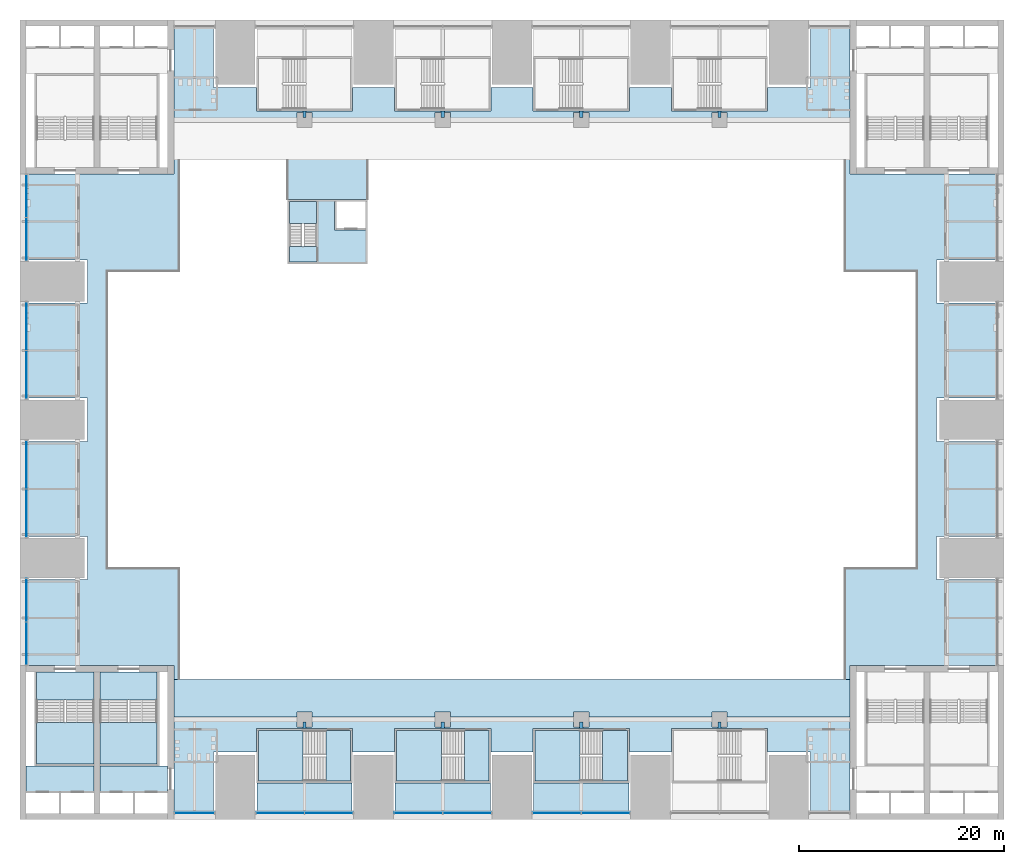
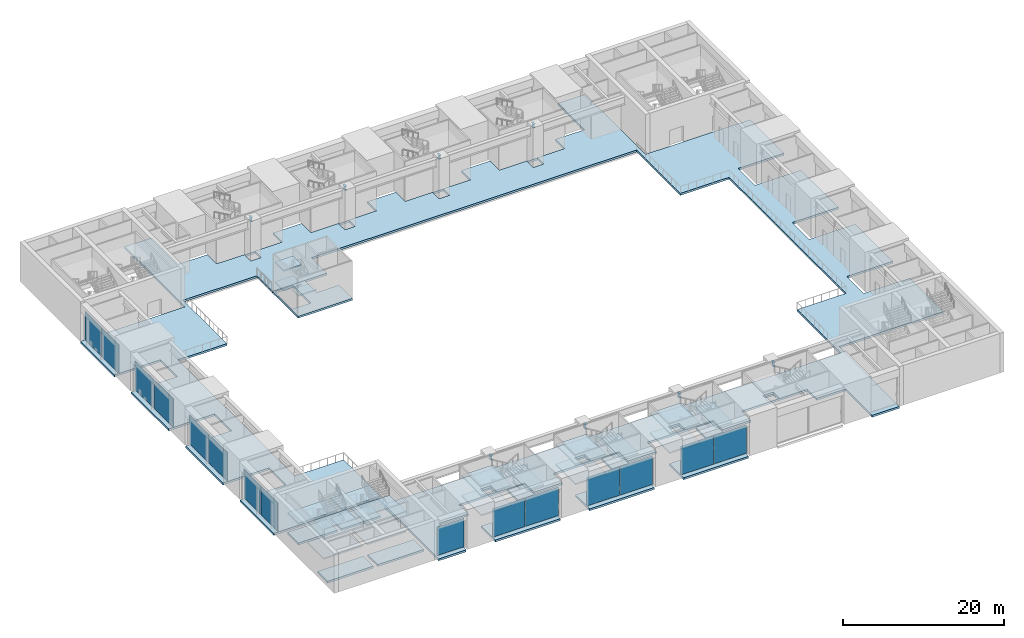
# One storey, part 10 of 41: 31 slabs, 15 plates, 8 beams, 14 elements without a shape of their own.
"""IFC4 building model written with IfcOpenShell, lengths in metres."""

from ifc_helpers import new_model, si_unit, direction, frame, origin, origin_2d, place, context, subcontext, project, spatial, polyline, rectangle, i_section, outline, extrude, material, layer, layer_set, material_profile, profile_set, type_object, element, aggregate, save


model = new_model("IFC4")

# Units and contexts
model_context = context("Model", 3, precision=1e-05, world=origin(), true_north=direction((0.0, 1.0)))
body_context = subcontext(model_context, "Body", "Model", "MODEL_VIEW")
ifc_project = project(units=[si_unit("LENGTHUNIT", "METRE"), si_unit("AREAUNIT", "SQUARE_METRE"), si_unit("VOLUMEUNIT", "CUBIC_METRE"), si_unit("PLANEANGLEUNIT", "RADIAN"), si_unit("MASSUNIT", "GRAM", prefix="KILO")], contexts=[model_context])

# Site, building, storey
site_placement = place(None, origin())
site = spatial("IfcSite", under=ifc_project, at=site_placement, CompositionType="ELEMENT")
building_placement = place(site_placement, origin())
building = spatial("IfcBuilding", under=site, at=building_placement, Name="Corbelhall Arena Tower", CompositionType="ELEMENT")
storey_placement = place(building_placement, frame((0.0, 0.0, 19.0)))
storey = spatial("IfcBuildingStorey", under=building, at=storey_placement, Name="L02", CompositionType="ELEMENT", Elevation=19.0)

# Beams
ifc_material_1 = material(Name="Steel ASTM A992 Gr50", Category="steel")
ifc_material_profile = material_profile(ifc_material_1, i_section(OverallWidth=0.323974609375, OverallDepth=0.611083984375, WebThickness=0.0126953125, FlangeThickness=0.01904296875, at=origin_2d()))
ifc_profile_set = profile_set([ifc_material_profile], Name="Steel ASTM A992 Gr50")
beam_type = type_object("IfcBeamType", Name="PO-BEAM-W24X104", PredefinedType="BEAM", material=ifc_profile_set)
for number, where, z_axis, x_axis, name in (
    (1, (-20.25, 29.5, 5.39453125), (0.0, 1.0, 0.0), (-1.0, 0.0, 0.0), "CONCOURSE BEAM"),
    (2, (-6.75, 29.5, 5.39453125), (0.0, 1.0, 0.0), (-1.0, 0.0, 0.0), "CONCOURSE BEAM"),
    (3, (6.75, 29.5, 5.39453125), (0.0, 1.0, 0.0), (-1.0, 0.0, 0.0), "CONCOURSE BEAM"),
    (4, (20.25, 29.5, 5.39453125), (0.0, 1.0, 0.0), (-1.0, 0.0, 0.0), "CONCOURSE BEAM"),
    (5, (-20.25, -29.5, 5.39453125), (0.0, -1.0, 0.0), (1.0, 0.0, 0.0), "CONCOURSE BEAM"),
    (6, (-6.75, -29.5, 5.39453125), (0.0, -1.0, 0.0), (1.0, 0.0, 0.0), "CONCOURSE BEAM"),
    (7, (6.75, -29.5, 5.39453125), (0.0, -1.0, 0.0), (1.0, 0.0, 0.0), "CONCOURSE BEAM"),
    (8, (20.25, -29.5, 5.39453125), (0.0, -1.0, 0.0), (1.0, 0.0, 0.0), "CONCOURSE BEAM"),
):
    element("IfcBeam", number, at=place(storey_placement, frame(where, z_axis=z_axis, x_axis=x_axis)), inside=storey, type_object=beam_type, Name=name, PredefinedType="BEAM", context=body_context, shape_type="SweptSolid", body=[
        extrude(i_section(OverallWidth=0.323974609375, OverallDepth=0.611083984375, WebThickness=0.0126953125, FlangeThickness=0.01904296875, at=origin_2d()), origin(), (0.0, 0.0, 1.0), 0.60009765625),
    ])

# Stair, slabs
ifc_material_2 = material(Name="Reinforced concrete C40/50", Category="concrete")
stair_type_1 = type_object("IfcStairType", Name="AR-EXIT-STAIR", PredefinedType="HALF_TURN_STAIR", material=ifc_material_2)
stair_1_placement = place(storey_placement, origin())
stair_1 = element("IfcStair", 9, at=stair_1_placement, inside=storey, type_object=stair_type_1, Name="L02 exit stair AS13", PredefinedType="HALF_TURN_STAIR")
ifc_layer_1 = layer(ifc_material_2, 0.199951171875)
ifc_layer_set_1 = layer_set([ifc_layer_1], Name="AR-EXIT-LANDING")
slab_type_1 = type_object("IfcSlabType", Name="AR-EXIT-LANDING", PredefinedType="LANDING", material=ifc_layer_set_1)
slab_1_placement = place(storey_placement, frame((0.0, 0.0, 1.300048828125)))
slab_1 = element("IfcSlab", 10, at=slab_1_placement, type_object=slab_type_1, Name="AS13 landing 1", PredefinedType="LANDING", context=body_context, shape_type="SweptSolid", body=[
    extrude(outline(polyline([(-20.389892578125, -30.300048828125), (-24.75, -30.300048828125), (-24.75, -35.25), (-20.389892578125, -35.25), (-20.389892578125, -30.300048828125)])), origin(), (0.0, 0.0, 1.0), 0.199951171875),
])
slab_2_placement = place(storey_placement, frame((0.0, 0.0, 2.800048828125)))
slab_2 = element("IfcSlab", 11, at=slab_2_placement, type_object=slab_type_1, Name="AS13 landing 2", PredefinedType="LANDING", context=body_context, shape_type="SweptSolid", body=[
    extrude(outline(polyline([(-15.75, -30.300048828125), (-18.14990234375, -30.300048828125), (-18.14990234375, -35.25), (-15.75, -35.25), (-15.75, -30.300048828125)])), origin(), (0.0, 0.0, 1.0), 0.199951171875),
])
slab_3_placement = place(storey_placement, frame((0.0, 0.0, 4.300048828125)))
slab_3 = element("IfcSlab", 12, at=slab_3_placement, type_object=slab_type_1, Name="AS13 landing 3", PredefinedType="LANDING", context=body_context, shape_type="SweptSolid", body=[
    extrude(outline(polyline([(-20.389892578125, -30.300048828125), (-24.75, -30.300048828125), (-24.75, -35.25), (-20.389892578125, -35.25), (-20.389892578125, -30.300048828125)])), origin(), (0.0, 0.0, 1.0), 0.199951171875),
])
aggregate(stair_1, [slab_1, slab_2, slab_3])

stair_2_placement = place(storey_placement, origin())
stair_2 = element("IfcStair", 13, at=stair_2_placement, inside=storey, type_object=stair_type_1, Name="L02 exit stair AS14", PredefinedType="HALF_TURN_STAIR")
slab_4_placement = place(storey_placement, frame((0.0, 0.0, 1.300048828125)))
slab_4 = element("IfcSlab", 14, at=slab_4_placement, type_object=slab_type_1, Name="AS14 landing 1", PredefinedType="LANDING", context=body_context, shape_type="SweptSolid", body=[
    extrude(outline(polyline([(-6.889892578125, -30.300048828125), (-11.25, -30.300048828125), (-11.25, -35.25), (-6.889892578125, -35.25), (-6.889892578125, -30.300048828125)])), origin(), (0.0, 0.0, 1.0), 0.199951171875),
])
slab_5_placement = place(storey_placement, frame((0.0, 0.0, 2.800048828125)))
slab_5 = element("IfcSlab", 15, at=slab_5_placement, type_object=slab_type_1, Name="AS14 landing 2", PredefinedType="LANDING", context=body_context, shape_type="SweptSolid", body=[
    extrude(outline(polyline([(-2.25, -30.300048828125), (-4.64990234375, -30.300048828125), (-4.64990234375, -35.25), (-2.25, -35.25), (-2.25, -30.300048828125)])), origin(), (0.0, 0.0, 1.0), 0.199951171875),
])
slab_6_placement = place(storey_placement, frame((0.0, 0.0, 4.300048828125)))
slab_6 = element("IfcSlab", 16, at=slab_6_placement, type_object=slab_type_1, Name="AS14 landing 3", PredefinedType="LANDING", context=body_context, shape_type="SweptSolid", body=[
    extrude(outline(polyline([(-6.889892578125, -30.300048828125), (-11.25, -30.300048828125), (-11.25, -35.25), (-6.889892578125, -35.25), (-6.889892578125, -30.300048828125)])), origin(), (0.0, 0.0, 1.0), 0.199951171875),
])
aggregate(stair_2, [slab_4, slab_5, slab_6])

stair_3_placement = place(storey_placement, origin())
stair_3 = element("IfcStair", 17, at=stair_3_placement, inside=storey, type_object=stair_type_1, Name="L02 exit stair AS15", PredefinedType="HALF_TURN_STAIR")
slab_7_placement = place(storey_placement, frame((0.0, 0.0, 1.300048828125)))
slab_7 = element("IfcSlab", 18, at=slab_7_placement, type_object=slab_type_1, Name="AS15 landing 1", PredefinedType="LANDING", context=body_context, shape_type="SweptSolid", body=[
    extrude(outline(polyline([(6.610107421875, -30.300048828125), (2.25, -30.300048828125), (2.25, -35.25), (6.610107421875, -35.25), (6.610107421875, -30.300048828125)])), origin(), (0.0, 0.0, 1.0), 0.199951171875),
])
slab_8_placement = place(storey_placement, frame((0.0, 0.0, 2.800048828125)))
slab_8 = element("IfcSlab", 19, at=slab_8_placement, type_object=slab_type_1, Name="AS15 landing 2", PredefinedType="LANDING", context=body_context, shape_type="SweptSolid", body=[
    extrude(outline(polyline([(11.25, -30.300048828125), (8.85009765625, -30.300048828125), (8.85009765625, -35.25), (11.25, -35.25), (11.25, -30.300048828125)])), origin(), (0.0, 0.0, 1.0), 0.199951171875),
])
slab_9_placement = place(storey_placement, frame((0.0, 0.0, 4.300048828125)))
slab_9 = element("IfcSlab", 20, at=slab_9_placement, type_object=slab_type_1, Name="AS15 landing 3", PredefinedType="LANDING", context=body_context, shape_type="SweptSolid", body=[
    extrude(outline(polyline([(6.610107421875, -30.300048828125), (2.25, -30.300048828125), (2.25, -35.25), (6.610107421875, -35.25), (6.610107421875, -30.300048828125)])), origin(), (0.0, 0.0, 1.0), 0.199951171875),
])
aggregate(stair_3, [slab_7, slab_8, slab_9])

stair_4_placement = place(storey_placement, origin())
stair_4 = element("IfcStair", 21, at=stair_4_placement, inside=storey, type_object=stair_type_1, Name="L02 exit stair AS7", PredefinedType="HALF_TURN_STAIR")
slab_10_placement = place(storey_placement, frame((0.0, 0.0, 1.300048828125)))
slab_10 = element("IfcSlab", 22, at=slab_10_placement, type_object=slab_type_1, Name="AS7 landing 1", PredefinedType="LANDING", context=body_context, shape_type="SweptSolid", body=[
    extrude(outline(polyline([(-40.199951171875, -29.56005859375), (-40.199951171875, -33.60009765625), (-34.610107421875, -33.60009765625), (-34.610107421875, -29.56005859375), (-40.199951171875, -29.56005859375)])), origin(), (0.0, 0.0, 1.0), 0.199951171875),
])
slab_11_placement = place(storey_placement, frame((0.0, 0.0, 2.800048828125)))
slab_11 = element("IfcSlab", 23, at=slab_11_placement, type_object=slab_type_1, Name="AS7 landing 2", PredefinedType="LANDING", context=body_context, shape_type="SweptSolid", body=[
    extrude(outline(polyline([(-40.199951171875, -24.60009765625), (-40.199951171875, -27.320068359375), (-34.610107421875, -27.320068359375), (-34.610107421875, -24.60009765625), (-40.199951171875, -24.60009765625)])), origin(), (0.0, 0.0, 1.0), 0.199951171875),
])
slab_12_placement = place(storey_placement, frame((0.0, 0.0, 4.300048828125)))
slab_12 = element("IfcSlab", 24, at=slab_12_placement, type_object=slab_type_1, Name="AS7 landing 3", PredefinedType="LANDING", context=body_context, shape_type="SweptSolid", body=[
    extrude(outline(polyline([(-40.199951171875, -29.56005859375), (-40.199951171875, -33.60009765625), (-34.610107421875, -33.60009765625), (-34.610107421875, -29.56005859375), (-40.199951171875, -29.56005859375)])), origin(), (0.0, 0.0, 1.0), 0.199951171875),
])
aggregate(stair_4, [slab_10, slab_11, slab_12])

stair_5_placement = place(storey_placement, origin())
stair_5 = element("IfcStair", 25, at=stair_5_placement, inside=storey, type_object=stair_type_1, Name="L02 exit stair AS8", PredefinedType="HALF_TURN_STAIR")
slab_13_placement = place(storey_placement, frame((0.0, 0.0, 1.300048828125)))
slab_13 = element("IfcSlab", 26, at=slab_13_placement, type_object=slab_type_1, Name="AS8 landing 1", PredefinedType="LANDING", context=body_context, shape_type="SweptSolid", body=[
    extrude(outline(polyline([(-46.389892578125, -29.56005859375), (-46.389892578125, -33.60009765625), (-40.800048828125, -33.60009765625), (-40.800048828125, -29.56005859375), (-46.389892578125, -29.56005859375)])), origin(), (0.0, 0.0, 1.0), 0.199951171875),
])
slab_14_placement = place(storey_placement, frame((0.0, 0.0, 2.800048828125)))
slab_14 = element("IfcSlab", 27, at=slab_14_placement, type_object=slab_type_1, Name="AS8 landing 2", PredefinedType="LANDING", context=body_context, shape_type="SweptSolid", body=[
    extrude(outline(polyline([(-46.389892578125, -24.60009765625), (-46.389892578125, -27.320068359375), (-40.800048828125, -27.320068359375), (-40.800048828125, -24.60009765625), (-46.389892578125, -24.60009765625)])), origin(), (0.0, 0.0, 1.0), 0.199951171875),
])
slab_15_placement = place(storey_placement, frame((0.0, 0.0, 4.300048828125)))
slab_15 = element("IfcSlab", 28, at=slab_15_placement, type_object=slab_type_1, Name="AS8 landing 3", PredefinedType="LANDING", context=body_context, shape_type="SweptSolid", body=[
    extrude(outline(polyline([(-46.389892578125, -29.56005859375), (-46.389892578125, -33.60009765625), (-40.800048828125, -33.60009765625), (-40.800048828125, -29.56005859375), (-46.389892578125, -29.56005859375)])), origin(), (0.0, 0.0, 1.0), 0.199951171875),
])
aggregate(stair_5, [slab_13, slab_14, slab_15])

# Slabs
ifc_layer_2 = layer(ifc_material_2, 0.300048828125)
ifc_layer_set_2 = layer_set([ifc_layer_2], Name="AR-STAIR-FLOOR")
slab_type_2 = type_object("IfcSlabType", Name="AR-STAIR-FLOOR", PredefinedType="FLOOR", material=ifc_layer_set_2)
slab_16_placement = place(storey_placement, frame((0.0, 0.0, -0.300048828125)))
element("IfcSlab", 29, at=slab_16_placement, inside=storey, type_object=slab_type_2, Name="Stair AS13 floor", PredefinedType="FLOOR", context=body_context, shape_type="SweptSolid", body=[
    extrude(outline(polyline([(-15.75, -30.300048828125), (-15.75, -35.25), (-18.153076171875, -35.25), (-18.153076171875, -30.300048828125), (-15.75, -30.300048828125)])), origin(), (0.0, 0.0, 1.0), 0.300048828125),
])
slab_17_placement = place(storey_placement, frame((0.0, 0.0, -0.300048828125)))
element("IfcSlab", 30, at=slab_17_placement, inside=storey, type_object=slab_type_2, Name="Stair AS14 floor", PredefinedType="FLOOR", context=body_context, shape_type="SweptSolid", body=[
    extrude(outline(polyline([(-2.25, -30.300048828125), (-2.25, -35.25), (-4.653076171875, -35.25), (-4.653076171875, -30.300048828125), (-2.25, -30.300048828125)])), origin(), (0.0, 0.0, 1.0), 0.300048828125),
])
slab_18_placement = place(storey_placement, frame((0.0, 0.0, -0.300048828125)))
element("IfcSlab", 31, at=slab_18_placement, inside=storey, type_object=slab_type_2, Name="Stair AS15 floor", PredefinedType="FLOOR", context=body_context, shape_type="SweptSolid", body=[
    extrude(outline(polyline([(11.25, -30.300048828125), (11.25, -35.25), (8.846923828125, -35.25), (8.846923828125, -30.300048828125), (11.25, -30.300048828125)])), origin(), (0.0, 0.0, 1.0), 0.300048828125),
])
slab_19_placement = place(storey_placement, frame((0.0, 0.0, -0.300048828125)))
element("IfcSlab", 32, at=slab_19_placement, inside=storey, type_object=slab_type_2, Name="Stair AS7 floor", PredefinedType="FLOOR", context=body_context, shape_type="SweptSolid", body=[
    extrude(outline(polyline([(-40.199951171875, -24.60009765625), (-34.610107421875, -24.60009765625), (-34.610107421875, -27.322998046875), (-40.199951171875, -27.322998046875), (-40.199951171875, -24.60009765625)])), origin(), (0.0, 0.0, 1.0), 0.300048828125),
])
slab_20_placement = place(storey_placement, frame((0.0, 0.0, -0.300048828125)))
element("IfcSlab", 33, at=slab_20_placement, inside=storey, type_object=slab_type_2, Name="Stair AS8 floor", PredefinedType="FLOOR", context=body_context, shape_type="SweptSolid", body=[
    extrude(outline(polyline([(-46.389892578125, -24.60009765625), (-40.800048828125, -24.60009765625), (-40.800048828125, -27.322998046875), (-46.389892578125, -27.322998046875), (-46.389892578125, -24.60009765625)])), origin(), (0.0, 0.0, 1.0), 0.300048828125),
])
slab_21_placement = place(storey_placement, frame((0.0, 0.0, -0.300048828125)))
element("IfcSlab", 34, at=slab_21_placement, inside=storey, type_object=slab_type_2, Name="Lift lobby floor SW", PredefinedType="FLOOR", context=body_context, shape_type="SweptSolid", body=[
    extrude(outline(polyline([(-40.800048828125, -36.300048828125), (-40.800048828125, -33.800048828125), (-47.39990234375, -33.800048828125), (-47.39990234375, -36.300048828125), (-40.800048828125, -36.300048828125)])), origin(), (0.0, 0.0, 1.0), 0.300048828125),
])
slab_22_placement = place(storey_placement, frame((0.0, 0.0, -0.300048828125)))
element("IfcSlab", 35, at=slab_22_placement, inside=storey, type_object=slab_type_2, Name="Lift lobby floor SW", PredefinedType="FLOOR", context=body_context, shape_type="SweptSolid", body=[
    extrude(outline(polyline([(-33.60009765625, -36.300048828125), (-33.60009765625, -33.800048828125), (-40.199951171875, -33.800048828125), (-40.199951171875, -36.300048828125), (-33.60009765625, -36.300048828125)])), origin(), (0.0, 0.0, 1.0), 0.300048828125),
])

# Curtain wall, plate
ifc_material_3 = material(Name="Aluminium black anodised", Category="aluminium")
ifc_layer_3 = layer(ifc_material_3, 0.239990234375)
ifc_layer_set_3 = layer_set([ifc_layer_3], Name="EV-CW4 Arena concourse glazing")
curtain_wall_type = type_object("IfcCurtainWallType", Name="EV-CW4 Arena concourse glazing", PredefinedType="NOTDEFINED", material=ifc_layer_set_3)
curtain_wall_1_placement = place(storey_placement, origin())
curtain_wall_1 = element("IfcCurtainWall", 36, at=curtain_wall_1_placement, inside=storey, type_object=curtain_wall_type, Name="Curtain wall CW4A", PredefinedType="NOTDEFINED")
ifc_material_4 = material(Name="Glass dark tinted laminated", Category="glass")
ifc_layer_4 = layer(ifc_material_4, 0.028076171875)
ifc_layer_set_4 = layer_set([ifc_layer_4], Name="EV-CW4-PANEL")
plate_type = type_object("IfcPlateType", Name="EV-CW4-PANEL", PredefinedType="CURTAIN_PANEL", material=ifc_layer_set_4)
plate_1_placement = place(storey_placement, frame((-30.97509765625, -38.3798828125, 0.074951171875), z_axis=(0.0, 0.0, 1.0), x_axis=(1.0, 0.0, 0.0)))
plate_1 = element("IfcPlate", 37, at=plate_1_placement, type_object=plate_type, Name="CW4A panel 1.1", PredefinedType="CURTAIN_PANEL", context=body_context, shape_type="SweptSolid", body=[
    extrude(rectangle(XDim=3.89990234375, YDim=0.028076171875, at=origin_2d()), origin(), (0.0, 0.0, 1.0), 4.35009765625),
])
aggregate(curtain_wall_1, [plate_1])

# Curtain wall, plates
curtain_wall_2_placement = place(storey_placement, origin())
curtain_wall_2 = element("IfcCurtainWall", 38, at=curtain_wall_2_placement, inside=storey, type_object=curtain_wall_type, Name="Curtain wall CW4", PredefinedType="NOTDEFINED")
plate_2_placement = place(storey_placement, frame((-22.63134765625, -38.3798828125, 0.074951171875), z_axis=(0.0, 0.0, 1.0), x_axis=(1.0, 0.0, 0.0)))
plate_2 = element("IfcPlate", 39, at=plate_2_placement, type_object=plate_type, Name="CW4 panel 1.1", PredefinedType="CURTAIN_PANEL", context=body_context, shape_type="SweptSolid", body=[
    extrude(rectangle(XDim=4.6875, YDim=0.028076171875, at=origin_2d()), origin(), (0.0, 0.0, 1.0), 4.35009765625),
])
plate_3_placement = place(storey_placement, frame((-17.86865234375, -38.3798828125, 0.074951171875), z_axis=(0.0, 0.0, 1.0), x_axis=(1.0, 0.0, 0.0)))
plate_3 = element("IfcPlate", 40, at=plate_3_placement, type_object=plate_type, Name="CW4 panel 2.1", PredefinedType="CURTAIN_PANEL", context=body_context, shape_type="SweptSolid", body=[
    extrude(rectangle(XDim=4.6875, YDim=0.028076171875, at=origin_2d()), origin(), (0.0, 0.0, 1.0), 4.35009765625),
])
aggregate(curtain_wall_2, [plate_2, plate_3])

curtain_wall_3_placement = place(storey_placement, origin())
curtain_wall_3 = element("IfcCurtainWall", 41, at=curtain_wall_3_placement, inside=storey, type_object=curtain_wall_type, Name="Curtain wall CW4", PredefinedType="NOTDEFINED")
plate_4_placement = place(storey_placement, frame((-9.13134765625, -38.3798828125, 0.074951171875), z_axis=(0.0, 0.0, 1.0), x_axis=(1.0, 0.0, 0.0)))
plate_4 = element("IfcPlate", 42, at=plate_4_placement, type_object=plate_type, Name="CW4 panel 1.1", PredefinedType="CURTAIN_PANEL", context=body_context, shape_type="SweptSolid", body=[
    extrude(rectangle(XDim=4.6875, YDim=0.028076171875, at=origin_2d()), origin(), (0.0, 0.0, 1.0), 4.35009765625),
])
plate_5_placement = place(storey_placement, frame((-4.36865234375, -38.3798828125, 0.074951171875), z_axis=(0.0, 0.0, 1.0), x_axis=(1.0, 0.0, 0.0)))
plate_5 = element("IfcPlate", 43, at=plate_5_placement, type_object=plate_type, Name="CW4 panel 2.1", PredefinedType="CURTAIN_PANEL", context=body_context, shape_type="SweptSolid", body=[
    extrude(rectangle(XDim=4.6875, YDim=0.028076171875, at=origin_2d()), origin(), (0.0, 0.0, 1.0), 4.35009765625),
])
aggregate(curtain_wall_3, [plate_4, plate_5])

curtain_wall_4_placement = place(storey_placement, origin())
curtain_wall_4 = element("IfcCurtainWall", 44, at=curtain_wall_4_placement, inside=storey, type_object=curtain_wall_type, Name="Curtain wall CW4", PredefinedType="NOTDEFINED")
plate_6_placement = place(storey_placement, frame((4.36865234375, -38.3798828125, 0.074951171875), z_axis=(0.0, 0.0, 1.0), x_axis=(1.0, 0.0, 0.0)))
plate_6 = element("IfcPlate", 45, at=plate_6_placement, type_object=plate_type, Name="CW4 panel 1.1", PredefinedType="CURTAIN_PANEL", context=body_context, shape_type="SweptSolid", body=[
    extrude(rectangle(XDim=4.6875, YDim=0.028076171875, at=origin_2d()), origin(), (0.0, 0.0, 1.0), 4.35009765625),
])
plate_7_placement = place(storey_placement, frame((9.13134765625, -38.3798828125, 0.074951171875), z_axis=(0.0, 0.0, 1.0), x_axis=(1.0, 0.0, 0.0)))
plate_7 = element("IfcPlate", 46, at=plate_7_placement, type_object=plate_type, Name="CW4 panel 2.1", PredefinedType="CURTAIN_PANEL", context=body_context, shape_type="SweptSolid", body=[
    extrude(rectangle(XDim=4.6875, YDim=0.028076171875, at=origin_2d()), origin(), (0.0, 0.0, 1.0), 4.35009765625),
])
aggregate(curtain_wall_4, [plate_6, plate_7])

curtain_wall_5_placement = place(storey_placement, origin())
curtain_wall_5 = element("IfcCurtainWall", 47, at=curtain_wall_5_placement, inside=storey, type_object=curtain_wall_type, Name="Curtain wall CW4B", PredefinedType="NOTDEFINED")
plate_8_placement = place(storey_placement, frame((-47.3798828125, 21.84375, 0.074951171875), z_axis=(0.0, 0.0, 1.0), x_axis=(0.0, -1.0, 0.0)))
plate_8 = element("IfcPlate", 48, at=plate_8_placement, type_object=plate_type, Name="CW4B panel 1.1", PredefinedType="CURTAIN_PANEL", context=body_context, shape_type="SweptSolid", body=[
    extrude(rectangle(XDim=4.16259765625, YDim=0.028076171875, at=origin_2d()), origin(), (0.0, 0.0, 1.0), 4.35009765625),
])
plate_9_placement = place(storey_placement, frame((-47.3798828125, 17.606201171875, 0.074951171875), z_axis=(0.0, 0.0, 1.0), x_axis=(0.0, -1.0, 0.0)))
plate_9 = element("IfcPlate", 49, at=plate_9_placement, type_object=plate_type, Name="CW4B panel 2.1", PredefinedType="CURTAIN_PANEL", context=body_context, shape_type="SweptSolid", body=[
    extrude(rectangle(XDim=4.16259765625, YDim=0.028076171875, at=origin_2d()), origin(), (0.0, 0.0, 1.0), 4.35009765625),
])
aggregate(curtain_wall_5, [plate_8, plate_9])

curtain_wall_6_placement = place(storey_placement, origin())
curtain_wall_6 = element("IfcCurtainWall", 50, at=curtain_wall_6_placement, inside=storey, type_object=curtain_wall_type, Name="Curtain wall CW4", PredefinedType="NOTDEFINED")
plate_10_placement = place(storey_placement, frame((-47.3798828125, 9.13134765625, 0.074951171875), z_axis=(0.0, 0.0, 1.0), x_axis=(0.0, -1.0, 0.0)))
plate_10 = element("IfcPlate", 51, at=plate_10_placement, type_object=plate_type, Name="CW4 panel 1.1", PredefinedType="CURTAIN_PANEL", context=body_context, shape_type="SweptSolid", body=[
    extrude(rectangle(XDim=4.6875, YDim=0.028076171875, at=origin_2d()), origin(), (0.0, 0.0, 1.0), 4.35009765625),
])
plate_11_placement = place(storey_placement, frame((-47.3798828125, 4.36865234375, 0.074951171875), z_axis=(0.0, 0.0, 1.0), x_axis=(0.0, -1.0, 0.0)))
plate_11 = element("IfcPlate", 52, at=plate_11_placement, type_object=plate_type, Name="CW4 panel 2.1", PredefinedType="CURTAIN_PANEL", context=body_context, shape_type="SweptSolid", body=[
    extrude(rectangle(XDim=4.6875, YDim=0.028076171875, at=origin_2d()), origin(), (0.0, 0.0, 1.0), 4.35009765625),
])
aggregate(curtain_wall_6, [plate_10, plate_11])

curtain_wall_7_placement = place(storey_placement, origin())
curtain_wall_7 = element("IfcCurtainWall", 53, at=curtain_wall_7_placement, inside=storey, type_object=curtain_wall_type, Name="Curtain wall CW4", PredefinedType="NOTDEFINED")
plate_12_placement = place(storey_placement, frame((-47.3798828125, -4.36865234375, 0.074951171875), z_axis=(0.0, 0.0, 1.0), x_axis=(0.0, -1.0, 0.0)))
plate_12 = element("IfcPlate", 54, at=plate_12_placement, type_object=plate_type, Name="CW4 panel 1.1", PredefinedType="CURTAIN_PANEL", context=body_context, shape_type="SweptSolid", body=[
    extrude(rectangle(XDim=4.6875, YDim=0.028076171875, at=origin_2d()), origin(), (0.0, 0.0, 1.0), 4.35009765625),
])
plate_13_placement = place(storey_placement, frame((-47.3798828125, -9.13134765625, 0.074951171875), z_axis=(0.0, 0.0, 1.0), x_axis=(0.0, -1.0, 0.0)))
plate_13 = element("IfcPlate", 55, at=plate_13_placement, type_object=plate_type, Name="CW4 panel 2.1", PredefinedType="CURTAIN_PANEL", context=body_context, shape_type="SweptSolid", body=[
    extrude(rectangle(XDim=4.6875, YDim=0.028076171875, at=origin_2d()), origin(), (0.0, 0.0, 1.0), 4.35009765625),
])
aggregate(curtain_wall_7, [plate_12, plate_13])

curtain_wall_8_placement = place(storey_placement, origin())
curtain_wall_8 = element("IfcCurtainWall", 56, at=curtain_wall_8_placement, inside=storey, type_object=curtain_wall_type, Name="Curtain wall CW4B", PredefinedType="NOTDEFINED")
plate_14_placement = place(storey_placement, frame((-47.3798828125, -17.606201171875, 0.074951171875), z_axis=(0.0, 0.0, 1.0), x_axis=(0.0, -1.0, 0.0)))
plate_14 = element("IfcPlate", 57, at=plate_14_placement, type_object=plate_type, Name="CW4B panel 1.1", PredefinedType="CURTAIN_PANEL", context=body_context, shape_type="SweptSolid", body=[
    extrude(rectangle(XDim=4.16259765625, YDim=0.028076171875, at=origin_2d()), origin(), (0.0, 0.0, 1.0), 4.35009765625),
])
plate_15_placement = place(storey_placement, frame((-47.3798828125, -21.84375, 0.074951171875), z_axis=(0.0, 0.0, 1.0), x_axis=(0.0, -1.0, 0.0)))
plate_15 = element("IfcPlate", 58, at=plate_15_placement, type_object=plate_type, Name="CW4B panel 2.1", PredefinedType="CURTAIN_PANEL", context=body_context, shape_type="SweptSolid", body=[
    extrude(rectangle(XDim=4.16259765625, YDim=0.028076171875, at=origin_2d()), origin(), (0.0, 0.0, 1.0), 4.35009765625),
])
aggregate(curtain_wall_8, [plate_14, plate_15])

# Slab
ifc_material_5 = material(Name="Concrete C40/50", Category="concrete")
ifc_layer_5 = layer(ifc_material_5, 0.300048828125)
ifc_layer_set_5 = layer_set([ifc_layer_5], Name="IN-SL-EAR")
slab_type_3 = type_object("IfcSlabType", Name="IN-SL-EAR", PredefinedType="FLOOR", material=ifc_layer_set_5)
slab_23_placement = place(storey_placement, frame((0.0, 0.0, -0.300048828125)))
element("IfcSlab", 59, at=slab_23_placement, inside=storey, type_object=slab_type_3, Name="Fire service turret floor", PredefinedType="FLOOR", context=body_context, shape_type="SweptSolid", body=[
    extrude(outline(polyline([(-21.89990234375, 15.199951171875), (-14.10009765625, 15.199951171875), (-14.10009765625, 18.5), (-17.300048828125, 18.5), (-17.300048828125, 21.5), (-21.89990234375, 21.5), (-21.89990234375, 15.199951171875)]), holes=[polyline([(-19.094970703125, 21.300048828125), (-21.695068359375, 21.300048828125), (-21.695068359375, 16.903076171875), (-19.094970703125, 16.903076171875), (-19.094970703125, 21.300048828125)])]), origin(), (0.0, 0.0, 1.0), 0.300048828125),
])

# Stair, slabs
stair_type_2 = type_object("IfcStairType", Name="IN-ST-TOWER", PredefinedType="HALF_TURN_STAIR", material=ifc_material_5)
stair_6_placement = place(storey_placement, origin())
stair_6 = element("IfcStair", 60, at=stair_6_placement, inside=storey, type_object=stair_type_2, Name="L02 Exit stair AS17", PredefinedType="HALF_TURN_STAIR")
ifc_layer_6 = layer(ifc_material_5, 0.199951171875)
ifc_layer_set_6 = layer_set([ifc_layer_6], Name="IN-SL-LANDING")
slab_type_4 = type_object("IfcSlabType", Name="IN-SL-LANDING", PredefinedType="LANDING", material=ifc_layer_set_6)
slab_24_placement = place(storey_placement, frame((0.0, 0.0, 1.300048828125)))
slab_24 = element("IfcSlab", 61, at=slab_24_placement, type_object=slab_type_4, Name="AS17 landing 1", PredefinedType="LANDING", context=body_context, shape_type="SweptSolid", body=[
    extrude(outline(polyline([(-19.094970703125, 19.139892578125), (-19.094970703125, 21.300048828125), (-21.695068359375, 21.300048828125), (-21.695068359375, 19.139892578125), (-19.094970703125, 19.139892578125)])), origin(), (0.0, 0.0, 1.0), 0.199951171875),
])
slab_25_placement = place(storey_placement, frame((0.0, 0.0, 2.800048828125)))
slab_25 = element("IfcSlab", 62, at=slab_25_placement, type_object=slab_type_4, Name="AS17 landing 2", PredefinedType="LANDING", context=body_context, shape_type="SweptSolid", body=[
    extrude(outline(polyline([(-19.094970703125, 15.39990234375), (-19.094970703125, 16.89990234375), (-21.695068359375, 16.89990234375), (-21.695068359375, 15.39990234375), (-19.094970703125, 15.39990234375)])), origin(), (0.0, 0.0, 1.0), 0.199951171875),
])
slab_26_placement = place(storey_placement, frame((0.0, 0.0, 4.300048828125)))
slab_26 = element("IfcSlab", 63, at=slab_26_placement, type_object=slab_type_4, Name="AS17 landing 3", PredefinedType="LANDING", context=body_context, shape_type="SweptSolid", body=[
    extrude(outline(polyline([(-19.094970703125, 19.139892578125), (-19.094970703125, 21.300048828125), (-21.695068359375, 21.300048828125), (-21.695068359375, 19.139892578125), (-19.094970703125, 19.139892578125)])), origin(), (0.0, 0.0, 1.0), 0.199951171875),
])
aggregate(stair_6, [slab_24, slab_25, slab_26])

# Slabs
ifc_material_6 = material(Name="Concrete C32/40", Category="concrete")
ifc_layer_7 = layer(ifc_material_6, 0.300048828125)
ifc_layer_set_7 = layer_set([ifc_layer_7], Name="PO-FLOOR-SLAB")
slab_type_5 = type_object("IfcSlabType", Name="PO-FLOOR-SLAB", PredefinedType="FLOOR", material=ifc_layer_set_7)
slab_27_placement = place(storey_placement, frame((0.0, 0.0, -0.300048828125)))
element("IfcSlab", 64, at=slab_27_placement, inside=storey, type_object=slab_type_5, Name="FLOOR SLAB L02 1", PredefinedType="FLOOR", context=body_context, shape_type="SweptSolid", body=[
    extrude(outline(polyline([(-24.89990234375, -39.0), (-24.89990234375, -35.449951171875), (-15.60009765625, -35.449951171875), (-15.60009765625, -39.0), (-24.89990234375, -39.0)])), origin(), (0.0, 0.0, 1.0), 0.300048828125),
])
slab_28_placement = place(storey_placement, frame((0.0, 0.0, -0.300048828125)))
element("IfcSlab", 65, at=slab_28_placement, inside=storey, type_object=slab_type_5, Name="FLOOR SLAB L02 3", PredefinedType="FLOOR", context=body_context, shape_type="SweptSolid", body=[
    extrude(outline(polyline([(-11.39990234375, -39.0), (-11.39990234375, -35.449951171875), (-2.10009765625, -35.449951171875), (-2.10009765625, -39.0), (-11.39990234375, -39.0)])), origin(), (0.0, 0.0, 1.0), 0.300048828125),
])
slab_29_placement = place(storey_placement, frame((0.0, 0.0, -0.300048828125)))
element("IfcSlab", 66, at=slab_29_placement, inside=storey, type_object=slab_type_5, Name="FLOOR SLAB L02 5", PredefinedType="FLOOR", context=body_context, shape_type="SweptSolid", body=[
    extrude(outline(polyline([(48.0, -24.0), (33.0, -24.0), (33.0, -39.0), (29.10009765625, -39.0), (29.10009765625, -32.39990234375), (24.949951171875, -32.39990234375), (24.949951171875, -30.10009765625), (15.550048828125, -30.10009765625), (15.550048828125, -32.39990234375), (11.449951171875, -32.39990234375), (11.449951171875, -30.10009765625), (2.050048828125, -30.10009765625), (2.050048828125, -32.39990234375), (-2.050048828125, -32.39990234375), (-2.050048828125, -30.10009765625), (-11.449951171875, -30.10009765625), (-11.449951171875, -32.39990234375), (-15.550048828125, -32.39990234375), (-15.550048828125, -30.10009765625), (-24.949951171875, -30.10009765625), (-24.949951171875, -32.39990234375), (-29.10009765625, -32.39990234375), (-29.10009765625, -39.0), (-33.0, -39.0), (-33.0, -24.0), (-48.0, -24.0), (-48.0, -15.60009765625), (-41.39990234375, -15.60009765625), (-41.39990234375, -11.39990234375), (-48.0, -11.39990234375), (-48.0, -2.10009765625), (-41.39990234375, -2.10009765625), (-41.39990234375, 2.10009765625), (-48.0, 2.10009765625), (-48.0, 11.39990234375), (-41.39990234375, 11.39990234375), (-41.39990234375, 15.60009765625), (-48.0, 15.60009765625), (-48.0, 24.0), (-33.0, 24.0), (-33.0, 39.0), (-29.10009765625, 39.0), (-29.10009765625, 32.39990234375), (-24.949951171875, 32.39990234375), (-24.949951171875, 30.10009765625), (-15.550048828125, 30.10009765625), (-15.550048828125, 32.39990234375), (-11.449951171875, 32.39990234375), (-11.449951171875, 30.10009765625), (-2.050048828125, 30.10009765625), (-2.050048828125, 32.39990234375), (2.050048828125, 32.39990234375), (2.050048828125, 30.10009765625), (11.449951171875, 30.10009765625), (11.449951171875, 32.39990234375), (15.550048828125, 32.39990234375), (15.550048828125, 30.10009765625), (24.949951171875, 30.10009765625), (24.949951171875, 32.39990234375), (29.10009765625, 32.39990234375), (29.10009765625, 39.0), (33.0, 39.0), (33.0, 24.0), (48.0, 24.0), (48.0, 15.60009765625), (41.39990234375, 15.60009765625), (41.39990234375, 11.39990234375), (48.0, 11.39990234375), (48.0, 2.10009765625), (41.39990234375, 2.10009765625), (41.39990234375, -2.10009765625), (48.0, -2.10009765625), (48.0, -11.39990234375), (41.39990234375, -11.39990234375), (41.39990234375, -15.60009765625), (48.0, -15.60009765625), (48.0, -24.0)]), holes=[polyline([(-19.5, -30.0), (-19.5, -28.5), (-21.0, -28.5), (-21.0, -30.0), (-19.5, -30.0)]), polyline([(-7.5, -30.0), (-6.0, -30.0), (-6.0, -28.5), (-7.5, -28.5), (-7.5, -30.0)]), polyline([(-19.5, 28.5), (-19.5, 30.0), (-21.0, 30.0), (-21.0, 28.5), (-19.5, 28.5)]), polyline([(-6.0, 28.5), (-6.0, 30.0), (-7.5, 30.0), (-7.5, 28.5), (-6.0, 28.5)]), polyline([(21.0, -30.0), (21.0, -28.5), (19.5, -28.5), (19.5, -30.0), (21.0, -30.0)]), polyline([(6.0, -30.0), (7.5, -30.0), (7.5, -28.5), (6.0, -28.5), (6.0, -30.0)]), polyline([(-32.5, 14.5), (-39.5, 14.5), (-39.5, -14.5), (-32.5, -14.5), (-32.5, -25.35009765625), (32.5, -25.35009765625), (32.5, -14.5), (39.5, -14.5), (39.5, 14.5), (32.5, 14.5), (32.5, 25.35009765625), (-14.10009765625, 25.35009765625), (-14.10009765625, 21.5), (-21.89990234375, 21.5), (-21.89990234375, 25.35009765625), (-32.5, 25.35009765625), (-32.5, 14.5)]), polyline([(6.0, 28.5), (7.5, 28.5), (7.5, 30.0), (6.0, 30.0), (6.0, 28.5)]), polyline([(19.5, 28.5), (21.0, 28.5), (21.0, 30.0), (19.5, 30.0), (19.5, 28.5)])]), origin(), (0.0, 0.0, 1.0), 0.300048828125),
])
slab_30_placement = place(storey_placement, frame((0.0, 0.0, -0.300048828125)))
element("IfcSlab", 67, at=slab_30_placement, inside=storey, type_object=slab_type_5, Name="FLOOR SLAB L02 6", PredefinedType="FLOOR", context=body_context, shape_type="SweptSolid", body=[
    extrude(outline(polyline([(2.10009765625, -39.0), (2.10009765625, -35.449951171875), (11.39990234375, -35.449951171875), (11.39990234375, -39.0), (2.10009765625, -39.0)])), origin(), (0.0, 0.0, 1.0), 0.300048828125),
])
ifc_layer_8 = layer(ifc_material_6, 0.25)
ifc_layer_set_8 = layer_set([ifc_layer_8], Name="PO-FLOOR-SLAB-BAND")
slab_type_6 = type_object("IfcSlabType", Name="PO-FLOOR-SLAB-BAND", PredefinedType="FLOOR", material=ifc_layer_set_8)
slab_31_placement = place(storey_placement, frame((0.0, 0.0, -0.550048828125)))
element("IfcSlab", 68, at=slab_31_placement, inside=storey, type_object=slab_type_6, Name="FLOOR SLAB BAND L02 1", PredefinedType="FLOOR", context=body_context, shape_type="SweptSolid", body=[
    extrude(outline(polyline([(-33.0, -25.35009765625), (33.0, -25.35009765625), (33.0, -29.0), (21.0, -29.0), (21.0, -28.5), (19.5, -28.5), (19.5, -29.0), (7.5, -29.0), (7.5, -28.5), (6.0, -28.5), (6.0, -29.0), (-6.0, -29.0), (-6.0, -28.5), (-7.5, -28.5), (-7.5, -29.0), (-19.5, -29.0), (-19.5, -28.5), (-21.0, -28.5), (-21.0, -29.0), (-33.0, -29.0), (-33.0, -25.35009765625)])), origin(), (0.0, 0.0, 1.0), 0.25),
])

save(model, "model.ifc")
